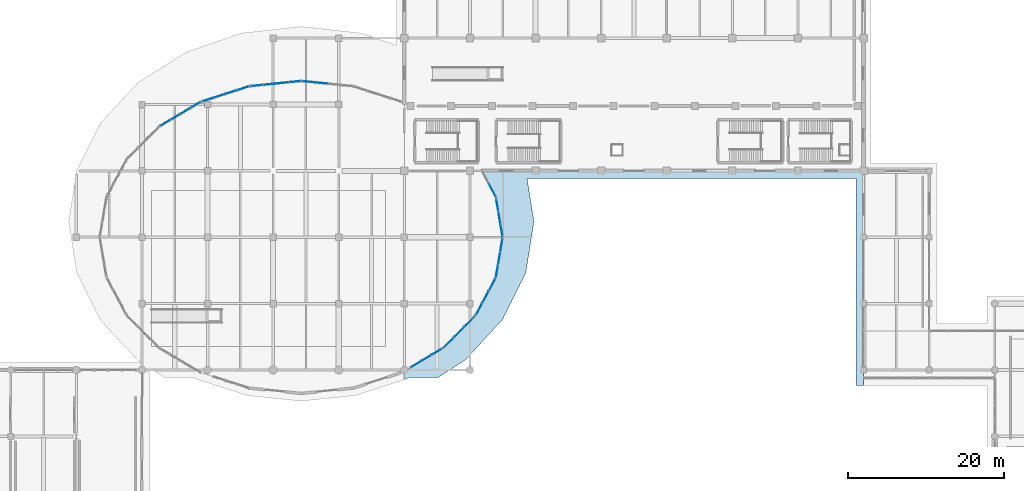
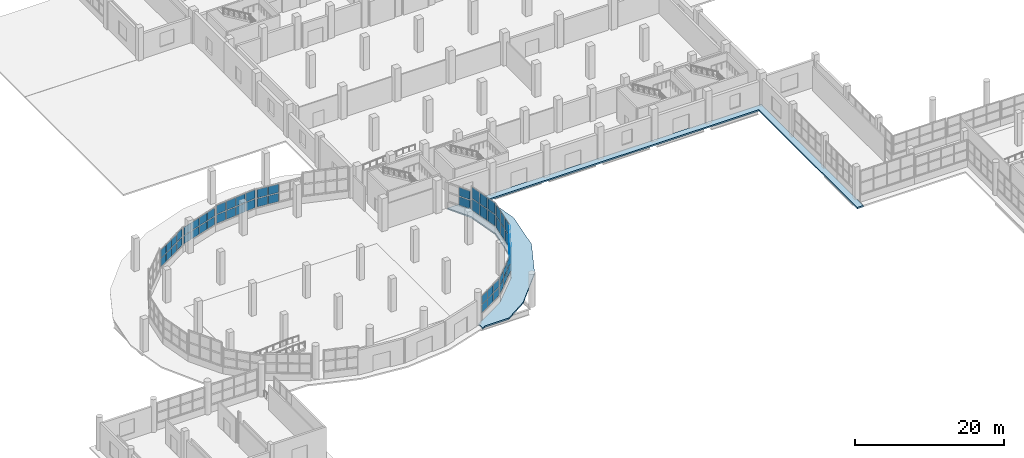
# One storey, part 75 of 107: 60 plates, 1 slab, 10 elements without a shape of their own.
"""IFC4 building model written with IfcOpenShell, lengths in metres."""

import ifcopenshell
import ifcopenshell.guid

model = None  # the IFC model being written
_history = None  # IfcOwnerHistory: only IFC2X3 demands one
_inside = {}  # id of a spatial element -> (the spatial element, [elements in it])
_under = {}  # id of a project, library or spatial element -> (it, [spatial elements below it])
_declared = {}  # id of a project -> (the project, [libraries it declares])
_typed = {}  # id of a type object -> (the type object, [elements of that type])
_made_of = {}  # id of a material, layer set ... -> (it, [elements and type objects made of it])


def new_model(schema):
    """Start an empty IFC model of exactly this schema.

    Asked for "IFC4X3", IfcOpenShell would pick the latest addendum, in which some entities
    have other attributes; the version numbers below select the first issue.
    IFC2X3 requires an IfcOwnerHistory on every rooted entity: one is made here for all.
    """
    global model, _history
    if schema == "IFC4X3":
        model = ifcopenshell.file(schema_version=(4, 3, 0, 0))
    else:
        model = ifcopenshell.file(schema=schema)
    _inside.clear()
    _under.clear()
    _declared.clear()
    _typed.clear()
    _made_of.clear()
    _history = None
    if model.schema == "IFC2X3":
        org = make("IfcOrganization", Name="unknown")
        user = make(
            "IfcPersonAndOrganization",
            ThePerson=make("IfcPerson", FamilyName="unknown"),
            TheOrganization=org,
        )
        app = make(
            "IfcApplication",
            ApplicationDeveloper=org,
            Version="unknown",
            ApplicationFullName="unknown",
            ApplicationIdentifier="unknown",
        )
        _history = make(
            "IfcOwnerHistory",
            OwningUser=user,
            OwningApplication=app,
            ChangeAction="ADDED",
            CreationDate=0,
        )
    return model


def make(cls, **values):
    """One entity of the class cls with the attributes given. An attribute that is None is left unset."""
    return model.create_entity(
        cls, **{name: value for name, value in values.items() if value is not None}
    )


def rooted(cls, **values):
    """An entity with a GlobalId (a new one), such as an element, a storey or a relation."""
    return make(cls, GlobalId=ifcopenshell.guid.new(), OwnerHistory=_history, **values)


def si_unit(unit_type, name, prefix=None):
    """IfcSIUnit, for example si_unit("LENGTHUNIT", "METRE", prefix="MILLI")."""
    return make("IfcSIUnit", UnitType=unit_type, Prefix=prefix, Name=name)


def assignment(units):
    """IfcUnitAssignment: the units of a project."""
    return None if units is None else make("IfcUnitAssignment", Units=units)


def point(xyz):
    """IfcCartesianPoint."""
    return None if xyz is None else make("IfcCartesianPoint", Coordinates=xyz)


def direction(xyz):
    """IfcDirection."""
    return None if xyz is None else make("IfcDirection", DirectionRatios=xyz)


def frame(location, z_axis=None, x_axis=None):
    """IfcAxis2Placement3D, a coordinate frame: its origin and axes. An axis left out is left unset."""
    return make(
        "IfcAxis2Placement3D",
        Location=point(location),
        Axis=direction(z_axis),
        RefDirection=direction(x_axis),
    )


def frame_2d(location, x_axis=None):
    """IfcAxis2Placement2D, a coordinate frame in the plane: its origin and x axis."""
    return make(
        "IfcAxis2Placement2D", Location=point(location), RefDirection=direction(x_axis)
    )


def origin():
    """The frame at (0, 0, 0) with its axes left unset."""
    return frame((0.0, 0.0, 0.0))


def origin_2d():
    """The frame at (0, 0) in the plane with its x axis left unset."""
    return frame_2d((0.0, 0.0))


def place(relative_to, where):
    """IfcLocalPlacement: puts the frame where relative to a parent placement (None: the world)."""
    return make(
        "IfcLocalPlacement", PlacementRelTo=relative_to, RelativePlacement=where
    )


def context(
    kind, dimensions, precision=None, world=None, true_north=None, identifier=None
):
    """IfcGeometricRepresentationContext, for example the 3D "Model" context."""
    return make(
        "IfcGeometricRepresentationContext",
        ContextIdentifier=identifier,
        ContextType=kind,
        CoordinateSpaceDimension=dimensions,
        Precision=precision,
        WorldCoordinateSystem=world,
        TrueNorth=true_north,
    )


def subcontext(parent, identifier, kind, view, scale=None):
    """IfcGeometricRepresentationSubContext, for example "Body" below "Model"."""
    return make(
        "IfcGeometricRepresentationSubContext",
        ContextIdentifier=identifier,
        ContextType=kind,
        ParentContext=parent,
        TargetScale=scale,
        TargetView=view,
    )


def project(units=None, contexts=None):
    """IfcProject with its units and contexts."""
    return rooted(
        "IfcProject",
        Name="project",
        RepresentationContexts=contexts,
        UnitsInContext=assignment(units),
    )


def spatial(cls, under=None, at=None, **own):
    """A site, building, storey or space (cls), placed at a placement, below another one or the project."""
    s = rooted(cls, ObjectPlacement=at, **own)
    if under is not None:
        _under.setdefault(under.id(), (under, []))[1].append(s)
    return s


def polyline(points):
    """IfcPolyline through the points."""
    return make("IfcPolyline", Points=[point(p) for p in points])


def profile(cls, at=None, kind="AREA", **sizes):
    """A parametric profile (cls). Its sizes go by their IFC names, for example OverallWidth=200.0."""
    return make(cls, ProfileType=kind, Position=at, **sizes)


def rectangle(**sizes):
    """IfcRectangleProfileDef."""
    return profile("IfcRectangleProfileDef", **sizes)


def outline(outer, holes=None, kind="AREA"):
    """IfcArbitraryClosedProfileDef: a profile drawn as a closed curve; with holes, ...WithVoids."""
    if holes is None:
        return make("IfcArbitraryClosedProfileDef", ProfileType=kind, OuterCurve=outer)
    return make(
        "IfcArbitraryProfileDefWithVoids",
        ProfileType=kind,
        OuterCurve=outer,
        InnerCurves=holes,
    )


def extrude(swept, where, along, depth):
    """IfcExtrudedAreaSolid: the profile swept, set in the frame where, extruded along a direction by depth."""
    return make(
        "IfcExtrudedAreaSolid",
        SweptArea=swept,
        Position=where,
        ExtrudedDirection=direction(along),
        Depth=depth,
    )


def shape(context_of_items, identifier, shape_type, items):
    """IfcShapeRepresentation: the items that make up one representation, for example the "Body"."""
    return make(
        "IfcShapeRepresentation",
        ContextOfItems=context_of_items,
        RepresentationIdentifier=identifier,
        RepresentationType=shape_type,
        Items=items,
    )


def material(Name=None, Category=None):
    """IfcMaterial."""
    return make("IfcMaterial", Name=Name, Category=Category)


def layer(
    of_material, thickness, ventilated=None, Name=None, Category=None, Priority=None
):
    """IfcMaterialLayer: one layer of a wall or slab, of a material (None: an air gap)."""
    return make(
        "IfcMaterialLayer",
        Material=of_material,
        LayerThickness=thickness,
        IsVentilated=ventilated,
        Name=Name,
        Category=Category,
        Priority=Priority,
    )


def layer_set(layers, Name=None):
    """IfcMaterialLayerSet."""
    return make("IfcMaterialLayerSet", MaterialLayers=layers, LayerSetName=Name)


def made_of(thing, what):
    """Note that an element or type object is made of a material, layer set ...; save() writes the relation."""
    if what is not None:
        _made_of.setdefault(what.id(), (what, []))[1].append(thing)
    return thing


def type_object(cls, material=None, **own):
    """A type object (cls), such as IfcWallType, which elements share."""
    return made_of(rooted(cls, **own), material)


def element(
    cls,
    number,
    at=None,
    inside=None,
    cuts=None,
    type_object=None,
    material=None,
    context=None,
    identifier="Body",
    shape_type=None,
    held_by="IfcProductDefinitionShape",
    body=None,
    shapes=None,
    **own,
):
    """One element of the class cls, such as IfcWall. Its Tag is "e" and its number.

    at: its placement. inside: the storey or other place that contains it. cuts: it is an
    opening in that element (IfcRelVoidsElement). A single representation is given by context,
    identifier, shape_type and body (its items); several are given by shapes. held_by: the class
    of the entity that holds the representations. save() writes the other relations.
    """
    e = rooted(cls, Tag="e%d" % number, ObjectPlacement=at, **own)
    if body is not None:
        shapes = [shape(context, identifier, shape_type, body)]
    if shapes is not None:
        e.Representation = make(held_by, Representations=shapes)
    if inside is not None:
        _inside.setdefault(inside.id(), (inside, []))[1].append(e)
    if cuts is not None:
        rooted(
            "IfcRelVoidsElement", RelatingBuildingElement=cuts, RelatedOpeningElement=e
        )
    if type_object is not None:
        _typed.setdefault(type_object.id(), (type_object, []))[1].append(e)
    return made_of(e, material)


def aggregate(whole, parts):
    """IfcRelAggregates: a whole, such as a stair, and the parts it consists of."""
    return rooted("IfcRelAggregates", RelatingObject=whole, RelatedObjects=parts)


def save(model, path):
    """Write the relations noted so far, then the file.

    IfcRelAggregates (storeys below a building ...), IfcRelContainedInSpatialStructure (elements
    in a storey), IfcRelDefinesByType, IfcRelAssociatesMaterial and IfcRelDeclares: one each for
    every whole, place, type object, material and project.
    """
    for whole, parts in _under.values():
        aggregate(whole, parts)
    for where, things in _inside.values():
        rooted(
            "IfcRelContainedInSpatialStructure",
            RelatedElements=things,
            RelatingStructure=where,
        )
    for kind, things in _typed.values():
        rooted("IfcRelDefinesByType", RelatedObjects=things, RelatingType=kind)
    for what, things in _made_of.values():
        rooted("IfcRelAssociatesMaterial", RelatedObjects=things, RelatingMaterial=what)
    for by, libraries in _declared.values():
        rooted("IfcRelDeclares", RelatingContext=by, RelatedDefinitions=libraries)
    model.write(path)


model = new_model("IFC4")

# Units and contexts
model_context = context("Model", 3, precision=1e-05, world=origin(), true_north=direction((0.0, 1.0)))
body_context = subcontext(model_context, "Body", "Model", "MODEL_VIEW")
ifc_project = project(units=[si_unit("LENGTHUNIT", "METRE"), si_unit("AREAUNIT", "SQUARE_METRE"), si_unit("VOLUMEUNIT", "CUBIC_METRE"), si_unit("PLANEANGLEUNIT", "RADIAN"), si_unit("MASSUNIT", "GRAM", prefix="KILO")], contexts=[model_context])

# Site, building, storey
site_placement = place(None, origin())
site = spatial("IfcSite", under=ifc_project, at=site_placement, CompositionType="ELEMENT")
building_placement = place(site_placement, origin())
building = spatial("IfcBuilding", under=site, at=building_placement, Name="Solvento Point Concert Hall", CompositionType="ELEMENT")
storey_placement = place(building_placement, origin())
storey = spatial("IfcBuildingStorey", under=building, at=storey_placement, Name="L00", CompositionType="ELEMENT", Elevation=0.0)

# Curtain wall, plates
ifc_material_1 = material(Name="Anodized Bronze Aluminium", Category="aluminium")
curtain_wall_type = type_object("IfcCurtainWallType", Name="CurtainWall_FoyerL00", PredefinedType="USERDEFINED", material=ifc_material_1)
curtain_wall_1_placement = place(storey_placement, origin())
curtain_wall_1 = element("IfcCurtainWall", 1, at=curtain_wall_1_placement, inside=storey, type_object=curtain_wall_type, Name="Unitised curtain wall CW-29 UCW-L00-009", ObjectType="UNITISED CURTAIN WALL", PredefinedType="USERDEFINED")
ifc_material_2 = material(Name="Hurricane Laminated Low-E Glass", Category="glass")
plate_type = type_object("IfcPlateType", Name="CurtainPanel_FoyerL00", PredefinedType="CURTAIN_PANEL", material=ifc_material_2)
plate_1_placement = place(storey_placement, frame((43.78662109375, 48.635986328125, 1.23974609375), z_axis=(0.0, 0.0, 1.0), x_axis=(0.859448350225, 0.511222586841, 0.0)))
plate_1 = element("IfcPlate", 2, at=plate_1_placement, type_object=plate_type, Name="Glazed curtain panel GL-01", PredefinedType="CURTAIN_PANEL", context=body_context, shape_type="SweptSolid", body=[
    extrude(rectangle(XDim=1.371826171875, YDim=0.052001953125, at=origin_2d()), origin(), (0.0, 0.0, 1.0), 1.299072265625),
])
plate_2_placement = place(storey_placement, frame((43.78662109375, 48.635986328125, 2.6591796875), z_axis=(0.0, 0.0, 1.0), x_axis=(0.859448350225, 0.511222586841, 0.0)))
plate_2 = element("IfcPlate", 3, at=plate_2_placement, type_object=plate_type, Name="Glazed curtain panel GL-01", PredefinedType="CURTAIN_PANEL", context=body_context, shape_type="SweptSolid", body=[
    extrude(rectangle(XDim=1.371826171875, YDim=0.052001953125, at=origin_2d()), origin(), (0.0, 0.0, 1.0), 1.299072265625),
])
plate_3_placement = place(storey_placement, frame((45.06884765625, 49.3984375, 1.23974609375), z_axis=(0.0, 0.0, 1.0), x_axis=(0.859448350225, 0.511222586841, 0.0)))
plate_3 = element("IfcPlate", 4, at=plate_3_placement, type_object=plate_type, Name="Glazed curtain panel GL-01", PredefinedType="CURTAIN_PANEL", context=body_context, shape_type="SweptSolid", body=[
    extrude(rectangle(XDim=1.371826171875, YDim=0.052001953125, at=origin_2d()), origin(), (0.0, 0.0, 1.0), 1.299072265625),
])
plate_4_placement = place(storey_placement, frame((45.06884765625, 49.3984375, 2.6591796875), z_axis=(0.0, 0.0, 1.0), x_axis=(0.859448350225, 0.511222586841, 0.0)))
plate_4 = element("IfcPlate", 5, at=plate_4_placement, type_object=plate_type, Name="Glazed curtain panel GL-01", PredefinedType="CURTAIN_PANEL", context=body_context, shape_type="SweptSolid", body=[
    extrude(rectangle(XDim=1.371826171875, YDim=0.052001953125, at=origin_2d()), origin(), (0.0, 0.0, 1.0), 1.299072265625),
])
plate_5_placement = place(storey_placement, frame((46.35107421875, 50.1611328125, 1.23974609375), z_axis=(0.0, 0.0, 1.0), x_axis=(0.859448350225, 0.511222586841, 0.0)))
plate_5 = element("IfcPlate", 6, at=plate_5_placement, type_object=plate_type, Name="Glazed curtain panel GL-01", PredefinedType="CURTAIN_PANEL", context=body_context, shape_type="SweptSolid", body=[
    extrude(rectangle(XDim=1.371826171875, YDim=0.052001953125, at=origin_2d()), origin(), (0.0, 0.0, 1.0), 1.299072265625),
])
plate_6_placement = place(storey_placement, frame((46.35107421875, 50.1611328125, 2.6591796875), z_axis=(0.0, 0.0, 1.0), x_axis=(0.859448350225, 0.511222586841, 0.0)))
plate_6 = element("IfcPlate", 7, at=plate_6_placement, type_object=plate_type, Name="Glazed curtain panel GL-01", PredefinedType="CURTAIN_PANEL", context=body_context, shape_type="SweptSolid", body=[
    extrude(rectangle(XDim=1.371826171875, YDim=0.052001953125, at=origin_2d()), origin(), (0.0, 0.0, 1.0), 1.299072265625),
])
plate_7_placement = place(storey_placement, frame((47.633056640625, 50.923828125, 1.23974609375), z_axis=(0.0, 0.0, 1.0), x_axis=(0.859448350225, 0.511222586841, 0.0)))
plate_7 = element("IfcPlate", 8, at=plate_7_placement, type_object=plate_type, Name="Glazed curtain panel GL-01", PredefinedType="CURTAIN_PANEL", context=body_context, shape_type="SweptSolid", body=[
    extrude(rectangle(XDim=1.371826171875, YDim=0.052001953125, at=origin_2d()), origin(), (0.0, 0.0, 1.0), 1.299072265625),
])
plate_8_placement = place(storey_placement, frame((47.633056640625, 50.923828125, 2.6591796875), z_axis=(0.0, 0.0, 1.0), x_axis=(0.859448350225, 0.511222586841, 0.0)))
plate_8 = element("IfcPlate", 9, at=plate_8_placement, type_object=plate_type, Name="Glazed curtain panel GL-01", PredefinedType="CURTAIN_PANEL", context=body_context, shape_type="SweptSolid", body=[
    extrude(rectangle(XDim=1.371826171875, YDim=0.052001953125, at=origin_2d()), origin(), (0.0, 0.0, 1.0), 1.299072265625),
])
aggregate(curtain_wall_1, [plate_1, plate_2, plate_3, plate_4, plate_5, plate_6, plate_7, plate_8])

curtain_wall_2_placement = place(storey_placement, origin())
curtain_wall_2 = element("IfcCurtainWall", 10, at=curtain_wall_2_placement, inside=storey, type_object=curtain_wall_type, Name="Unitised curtain wall CW-29 UCW-L00-010", ObjectType="UNITISED CURTAIN WALL", PredefinedType="USERDEFINED")
plate_9_placement = place(storey_placement, frame((49.257568359375, 51.6279296875, 1.23974609375), z_axis=(0.0, 0.0, 1.0), x_axis=(0.952121389331, 0.305720231548, 0.0)))
plate_9 = element("IfcPlate", 11, at=plate_9_placement, type_object=plate_type, Name="Glazed curtain panel GL-01", PredefinedType="CURTAIN_PANEL", context=body_context, shape_type="SweptSolid", body=[
    extrude(rectangle(XDim=1.451416015625, YDim=0.052001953125, at=origin_2d()), origin(), (0.0, 0.0, 1.0), 1.299072265625),
])
plate_10_placement = place(storey_placement, frame((49.257568359375, 51.6279296875, 2.6591796875), z_axis=(0.0, 0.0, 1.0), x_axis=(0.952121389331, 0.305720231548, 0.0)))
plate_10 = element("IfcPlate", 12, at=plate_10_placement, type_object=plate_type, Name="Glazed curtain panel GL-01", PredefinedType="CURTAIN_PANEL", context=body_context, shape_type="SweptSolid", body=[
    extrude(rectangle(XDim=1.451416015625, YDim=0.052001953125, at=origin_2d()), origin(), (0.0, 0.0, 1.0), 1.299072265625),
])
plate_11_placement = place(storey_placement, frame((50.753662109375, 52.1083984375, 1.23974609375), z_axis=(0.0, 0.0, 1.0), x_axis=(0.952121389331, 0.305720231548, 0.0)))
plate_11 = element("IfcPlate", 13, at=plate_11_placement, type_object=plate_type, Name="Glazed curtain panel GL-01", PredefinedType="CURTAIN_PANEL", context=body_context, shape_type="SweptSolid", body=[
    extrude(rectangle(XDim=1.451416015625, YDim=0.052001953125, at=origin_2d()), origin(), (0.0, 0.0, 1.0), 1.299072265625),
])
plate_12_placement = place(storey_placement, frame((50.753662109375, 52.1083984375, 2.6591796875), z_axis=(0.0, 0.0, 1.0), x_axis=(0.952121389331, 0.305720231548, 0.0)))
plate_12 = element("IfcPlate", 14, at=plate_12_placement, type_object=plate_type, Name="Glazed curtain panel GL-01", PredefinedType="CURTAIN_PANEL", context=body_context, shape_type="SweptSolid", body=[
    extrude(rectangle(XDim=1.451416015625, YDim=0.052001953125, at=origin_2d()), origin(), (0.0, 0.0, 1.0), 1.299072265625),
])
plate_13_placement = place(storey_placement, frame((52.249755859375, 52.588623046875, 1.23974609375), z_axis=(0.0, 0.0, 1.0), x_axis=(0.952121389331, 0.305720231548, 0.0)))
plate_13 = element("IfcPlate", 15, at=plate_13_placement, type_object=plate_type, Name="Glazed curtain panel GL-01", PredefinedType="CURTAIN_PANEL", context=body_context, shape_type="SweptSolid", body=[
    extrude(rectangle(XDim=1.451416015625, YDim=0.052001953125, at=origin_2d()), origin(), (0.0, 0.0, 1.0), 1.299072265625),
])
plate_14_placement = place(storey_placement, frame((52.249755859375, 52.588623046875, 2.6591796875), z_axis=(0.0, 0.0, 1.0), x_axis=(0.952121389331, 0.305720231548, 0.0)))
plate_14 = element("IfcPlate", 16, at=plate_14_placement, type_object=plate_type, Name="Glazed curtain panel GL-01", PredefinedType="CURTAIN_PANEL", context=body_context, shape_type="SweptSolid", body=[
    extrude(rectangle(XDim=1.451416015625, YDim=0.052001953125, at=origin_2d()), origin(), (0.0, 0.0, 1.0), 1.299072265625),
])
plate_15_placement = place(storey_placement, frame((53.745849609375, 53.069091796875, 1.23974609375), z_axis=(0.0, 0.0, 1.0), x_axis=(0.952121389331, 0.305720231548, 0.0)))
plate_15 = element("IfcPlate", 17, at=plate_15_placement, type_object=plate_type, Name="Glazed curtain panel GL-01", PredefinedType="CURTAIN_PANEL", context=body_context, shape_type="SweptSolid", body=[
    extrude(rectangle(XDim=1.451416015625, YDim=0.052001953125, at=origin_2d()), origin(), (0.0, 0.0, 1.0), 1.299072265625),
])
plate_16_placement = place(storey_placement, frame((53.745849609375, 53.069091796875, 2.6591796875), z_axis=(0.0, 0.0, 1.0), x_axis=(0.952121389331, 0.305720231548, 0.0)))
plate_16 = element("IfcPlate", 18, at=plate_16_placement, type_object=plate_type, Name="Glazed curtain panel GL-01", PredefinedType="CURTAIN_PANEL", context=body_context, shape_type="SweptSolid", body=[
    extrude(rectangle(XDim=1.451416015625, YDim=0.052001953125, at=origin_2d()), origin(), (0.0, 0.0, 1.0), 1.299072265625),
])
aggregate(curtain_wall_2, [plate_9, plate_10, plate_11, plate_12, plate_13, plate_14, plate_15, plate_16])

curtain_wall_3_placement = place(storey_placement, origin())
curtain_wall_3 = element("IfcCurtainWall", 19, at=curtain_wall_3_placement, inside=storey, type_object=curtain_wall_type, Name="Unitised curtain wall CW-29 UCW-L00-011", ObjectType="UNITISED CURTAIN WALL", PredefinedType="USERDEFINED")
plate_17_placement = place(storey_placement, frame((55.544921875, 53.4228515625, 1.240234375), z_axis=(0.0, 0.0, 1.0), x_axis=(0.994832267905, 0.101532057676, 0.0)))
plate_17 = element("IfcPlate", 20, at=plate_17_placement, type_object=plate_type, Name="Glazed curtain panel GL-01", PredefinedType="CURTAIN_PANEL", context=body_context, shape_type="SweptSolid", body=[
    extrude(rectangle(XDim=1.49560546875, YDim=0.052001953125, at=origin_2d()), origin(), (0.0, 0.0, 1.0), 1.427001953125),
])
plate_18_placement = place(storey_placement, frame((55.544921875, 53.4228515625, 2.787109375), z_axis=(0.0, 0.0, 1.0), x_axis=(0.994832267905, 0.101532057676, 0.0)))
plate_18 = element("IfcPlate", 21, at=plate_18_placement, type_object=plate_type, Name="Glazed curtain panel GL-01", PredefinedType="CURTAIN_PANEL", context=body_context, shape_type="SweptSolid", body=[
    extrude(rectangle(XDim=1.49560546875, YDim=0.052001953125, at=origin_2d()), origin(), (0.0, 0.0, 1.0), 1.427001953125),
])
plate_19_placement = place(storey_placement, frame((57.152099609375, 53.5869140625, 1.240234375), z_axis=(0.0, 0.0, 1.0), x_axis=(0.994832267905, 0.101532057676, 0.0)))
plate_19 = element("IfcPlate", 22, at=plate_19_placement, type_object=plate_type, Name="Glazed curtain panel GL-01", PredefinedType="CURTAIN_PANEL", context=body_context, shape_type="SweptSolid", body=[
    extrude(rectangle(XDim=1.49560546875, YDim=0.052001953125, at=origin_2d()), origin(), (0.0, 0.0, 1.0), 1.427001953125),
])
plate_20_placement = place(storey_placement, frame((57.152099609375, 53.5869140625, 2.787109375), z_axis=(0.0, 0.0, 1.0), x_axis=(0.994832267905, 0.101532057676, 0.0)))
plate_20 = element("IfcPlate", 23, at=plate_20_placement, type_object=plate_type, Name="Glazed curtain panel GL-01", PredefinedType="CURTAIN_PANEL", context=body_context, shape_type="SweptSolid", body=[
    extrude(rectangle(XDim=1.49560546875, YDim=0.052001953125, at=origin_2d()), origin(), (0.0, 0.0, 1.0), 1.427001953125),
])
plate_21_placement = place(storey_placement, frame((58.759521484375, 53.7509765625, 1.240234375), z_axis=(0.0, 0.0, 1.0), x_axis=(0.994832267905, 0.101532057676, 0.0)))
plate_21 = element("IfcPlate", 24, at=plate_21_placement, type_object=plate_type, Name="Glazed curtain panel GL-01", PredefinedType="CURTAIN_PANEL", context=body_context, shape_type="SweptSolid", body=[
    extrude(rectangle(XDim=1.49560546875, YDim=0.052001953125, at=origin_2d()), origin(), (0.0, 0.0, 1.0), 1.427001953125),
])
plate_22_placement = place(storey_placement, frame((58.759521484375, 53.7509765625, 2.787109375), z_axis=(0.0, 0.0, 1.0), x_axis=(0.994832267905, 0.101532057676, 0.0)))
plate_22 = element("IfcPlate", 25, at=plate_22_placement, type_object=plate_type, Name="Glazed curtain panel GL-01", PredefinedType="CURTAIN_PANEL", context=body_context, shape_type="SweptSolid", body=[
    extrude(rectangle(XDim=1.49560546875, YDim=0.052001953125, at=origin_2d()), origin(), (0.0, 0.0, 1.0), 1.427001953125),
])
plate_23_placement = place(storey_placement, frame((60.36669921875, 53.914794921875, 1.240234375), z_axis=(0.0, 0.0, 1.0), x_axis=(0.994832267905, 0.101532057676, 0.0)))
plate_23 = element("IfcPlate", 26, at=plate_23_placement, type_object=plate_type, Name="Glazed curtain panel GL-01", PredefinedType="CURTAIN_PANEL", context=body_context, shape_type="SweptSolid", body=[
    extrude(rectangle(XDim=1.49560546875, YDim=0.052001953125, at=origin_2d()), origin(), (0.0, 0.0, 1.0), 1.427001953125),
])
plate_24_placement = place(storey_placement, frame((60.36669921875, 53.914794921875, 2.787109375), z_axis=(0.0, 0.0, 1.0), x_axis=(0.994832267905, 0.101532057676, 0.0)))
plate_24 = element("IfcPlate", 27, at=plate_24_placement, type_object=plate_type, Name="Glazed curtain panel GL-01", PredefinedType="CURTAIN_PANEL", context=body_context, shape_type="SweptSolid", body=[
    extrude(rectangle(XDim=1.49560546875, YDim=0.052001953125, at=origin_2d()), origin(), (0.0, 0.0, 1.0), 1.427001953125),
])
aggregate(curtain_wall_3, [plate_17, plate_18, plate_19, plate_20, plate_21, plate_22, plate_23, plate_24])

curtain_wall_4_placement = place(storey_placement, origin())
curtain_wall_4 = element("IfcCurtainWall", 28, at=curtain_wall_4_placement, inside=storey, type_object=curtain_wall_type, Name="Unitised curtain wall CW-29 UCW-L00-012", ObjectType="UNITISED CURTAIN WALL", PredefinedType="USERDEFINED")
plate_25_placement = place(storey_placement, frame((62.222412109375, 53.8955078125, 1.240234375), z_axis=(0.0, 0.0, 1.0), x_axis=(0.994832267905, -0.101532057676, 0.0)))
plate_25 = element("IfcPlate", 29, at=plate_25_placement, type_object=plate_type, Name="Glazed curtain panel GL-01", PredefinedType="CURTAIN_PANEL", context=body_context, shape_type="SweptSolid", body=[
    extrude(rectangle(XDim=1.49560546875, YDim=0.052001953125, at=origin_2d()), origin(), (0.0, 0.0, 1.0), 1.382568359375),
])
plate_26_placement = place(storey_placement, frame((62.222412109375, 53.8955078125, 2.7421875), z_axis=(0.0, 0.0, 1.0), x_axis=(0.994832267905, -0.101532057676, 0.0)))
plate_26 = element("IfcPlate", 30, at=plate_26_placement, type_object=plate_type, Name="Glazed curtain panel GL-01", PredefinedType="CURTAIN_PANEL", context=body_context, shape_type="SweptSolid", body=[
    extrude(rectangle(XDim=1.49560546875, YDim=0.052001953125, at=origin_2d()), origin(), (0.0, 0.0, 1.0), 1.382568359375),
])
plate_27_placement = place(storey_placement, frame((63.82958984375, 53.731689453125, 1.240234375), z_axis=(0.0, 0.0, 1.0), x_axis=(0.994832267905, -0.101532057676, 0.0)))
plate_27 = element("IfcPlate", 31, at=plate_27_placement, type_object=plate_type, Name="Glazed curtain panel GL-01", PredefinedType="CURTAIN_PANEL", context=body_context, shape_type="SweptSolid", body=[
    extrude(rectangle(XDim=1.49560546875, YDim=0.052001953125, at=origin_2d()), origin(), (0.0, 0.0, 1.0), 1.382568359375),
])
plate_28_placement = place(storey_placement, frame((63.82958984375, 53.731689453125, 2.7421875), z_axis=(0.0, 0.0, 1.0), x_axis=(0.994832267905, -0.101532057676, 0.0)))
plate_28 = element("IfcPlate", 32, at=plate_28_placement, type_object=plate_type, Name="Glazed curtain panel GL-01", PredefinedType="CURTAIN_PANEL", context=body_context, shape_type="SweptSolid", body=[
    extrude(rectangle(XDim=1.49560546875, YDim=0.052001953125, at=origin_2d()), origin(), (0.0, 0.0, 1.0), 1.382568359375),
])
aggregate(curtain_wall_4, [plate_25, plate_26, plate_27, plate_28])

curtain_wall_5_placement = place(storey_placement, origin())
curtain_wall_5 = element("IfcCurtainWall", 33, at=curtain_wall_5_placement, inside=storey, type_object=curtain_wall_type, Name="Unitised curtain wall CW-29 UCW-L00-014", ObjectType="UNITISED CURTAIN WALL", PredefinedType="USERDEFINED")
plate_29_placement = place(storey_placement, frame((85.669921875, 40.0205078125, 1.239990234375), z_axis=(0.0, 0.0, 1.0), x_axis=(0.471272053434, -0.881987897679, 0.0)))
plate_29 = element("IfcPlate", 34, at=plate_29_placement, type_object=plate_type, Name="Glazed curtain panel GL-01", PredefinedType="CURTAIN_PANEL", context=body_context, shape_type="SweptSolid", body=[
    extrude(rectangle(XDim=1.734130859375, YDim=0.052001953125, at=origin_2d()), origin(), (0.0, 0.0, 1.0), 1.3955078125),
])
plate_30_placement = place(storey_placement, frame((85.669921875, 40.0205078125, 2.75537109375), z_axis=(0.0, 0.0, 1.0), x_axis=(0.471272053434, -0.881987897679, 0.0)))
plate_30 = element("IfcPlate", 35, at=plate_30_placement, type_object=plate_type, Name="Glazed curtain panel GL-01", PredefinedType="CURTAIN_PANEL", context=body_context, shape_type="SweptSolid", body=[
    extrude(rectangle(XDim=1.734130859375, YDim=0.052001953125, at=origin_2d()), origin(), (0.0, 0.0, 1.0), 1.3955078125),
])
aggregate(curtain_wall_5, [plate_29, plate_30])

curtain_wall_6_placement = place(storey_placement, origin())
curtain_wall_6 = element("IfcCurtainWall", 36, at=curtain_wall_6_placement, inside=storey, type_object=curtain_wall_type, Name="Unitised curtain wall CW-29 UCW-L00-015", ObjectType="UNITISED CURTAIN WALL", PredefinedType="USERDEFINED")
plate_31_placement = place(storey_placement, frame((86.29736328125, 38.137939453125, 1.23974609375), z_axis=(0.0, 0.0, 1.0), x_axis=(0.167431250791, -0.985883753928, 0.0)))
plate_31 = element("IfcPlate", 37, at=plate_31_placement, type_object=plate_type, Name="Glazed curtain panel GL-01", PredefinedType="CURTAIN_PANEL", context=body_context, shape_type="SweptSolid", body=[
    extrude(rectangle(XDim=1.546875, YDim=0.052001953125, at=origin_2d()), origin(), (0.0, 0.0, 1.0), 1.820068359375),
])
plate_32_placement = place(storey_placement, frame((86.29736328125, 38.137939453125, 3.18017578125), z_axis=(0.0, 0.0, 1.0), x_axis=(0.167431250791, -0.985883753928, 0.0)))
plate_32 = element("IfcPlate", 38, at=plate_32_placement, type_object=plate_type, Name="Glazed curtain panel GL-01", PredefinedType="CURTAIN_PANEL", context=body_context, shape_type="SweptSolid", body=[
    extrude(rectangle(XDim=1.546875, YDim=0.052001953125, at=origin_2d()), origin(), (0.0, 0.0, 1.0), 1.820068359375),
])
plate_33_placement = place(storey_placement, frame((86.576416015625, 36.494384765625, 1.23974609375), z_axis=(0.0, 0.0, 1.0), x_axis=(0.167431250791, -0.985883753928, 0.0)))
plate_33 = element("IfcPlate", 39, at=plate_33_placement, type_object=plate_type, Name="Glazed curtain panel GL-01", PredefinedType="CURTAIN_PANEL", context=body_context, shape_type="SweptSolid", body=[
    extrude(rectangle(XDim=1.546875, YDim=0.052001953125, at=origin_2d()), origin(), (0.0, 0.0, 1.0), 1.820068359375),
])
plate_34_placement = place(storey_placement, frame((86.576416015625, 36.494384765625, 3.18017578125), z_axis=(0.0, 0.0, 1.0), x_axis=(0.167431250791, -0.985883753928, 0.0)))
plate_34 = element("IfcPlate", 40, at=plate_34_placement, type_object=plate_type, Name="Glazed curtain panel GL-01", PredefinedType="CURTAIN_PANEL", context=body_context, shape_type="SweptSolid", body=[
    extrude(rectangle(XDim=1.546875, YDim=0.052001953125, at=origin_2d()), origin(), (0.0, 0.0, 1.0), 1.820068359375),
])
plate_35_placement = place(storey_placement, frame((86.85546875, 34.851318359375, 1.23974609375), z_axis=(0.0, 0.0, 1.0), x_axis=(0.167431250791, -0.985883753928, 0.0)))
plate_35 = element("IfcPlate", 41, at=plate_35_placement, type_object=plate_type, Name="Glazed curtain panel GL-01", PredefinedType="CURTAIN_PANEL", context=body_context, shape_type="SweptSolid", body=[
    extrude(rectangle(XDim=1.546875, YDim=0.052001953125, at=origin_2d()), origin(), (0.0, 0.0, 1.0), 1.820068359375),
])
plate_36_placement = place(storey_placement, frame((86.85546875, 34.851318359375, 3.18017578125), z_axis=(0.0, 0.0, 1.0), x_axis=(0.167431250791, -0.985883753928, 0.0)))
plate_36 = element("IfcPlate", 42, at=plate_36_placement, type_object=plate_type, Name="Glazed curtain panel GL-01", PredefinedType="CURTAIN_PANEL", context=body_context, shape_type="SweptSolid", body=[
    extrude(rectangle(XDim=1.546875, YDim=0.052001953125, at=origin_2d()), origin(), (0.0, 0.0, 1.0), 1.820068359375),
])
aggregate(curtain_wall_6, [plate_31, plate_32, plate_33, plate_34, plate_35, plate_36])

curtain_wall_7_placement = place(storey_placement, origin())
curtain_wall_7 = element("IfcCurtainWall", 43, at=curtain_wall_7_placement, inside=storey, type_object=curtain_wall_type, Name="Unitised curtain wall CW-29 UCW-L00-016", ObjectType="UNITISED CURTAIN WALL", PredefinedType="USERDEFINED")
plate_37_placement = place(storey_placement, frame((86.823486328125, 32.96142578125, 1.23974609375), z_axis=(0.0, 0.0, 1.0), x_axis=(-0.167431250791, -0.985883753928, 0.0)))
plate_37 = element("IfcPlate", 44, at=plate_37_placement, type_object=plate_type, Name="Glazed curtain panel GL-01", PredefinedType="CURTAIN_PANEL", context=body_context, shape_type="SweptSolid", body=[
    extrude(rectangle(XDim=1.546875, YDim=0.052001953125, at=origin_2d()), origin(), (0.0, 0.0, 1.0), 1.820068359375),
])
plate_38_placement = place(storey_placement, frame((86.823486328125, 32.96142578125, 3.18017578125), z_axis=(0.0, 0.0, 1.0), x_axis=(-0.167431250791, -0.985883753928, 0.0)))
plate_38 = element("IfcPlate", 45, at=plate_38_placement, type_object=plate_type, Name="Glazed curtain panel GL-01", PredefinedType="CURTAIN_PANEL", context=body_context, shape_type="SweptSolid", body=[
    extrude(rectangle(XDim=1.546875, YDim=0.052001953125, at=origin_2d()), origin(), (0.0, 0.0, 1.0), 1.820068359375),
])
plate_39_placement = place(storey_placement, frame((86.54443359375, 31.318115234375, 1.23974609375), z_axis=(0.0, 0.0, 1.0), x_axis=(-0.167431250791, -0.985883753928, 0.0)))
plate_39 = element("IfcPlate", 46, at=plate_39_placement, type_object=plate_type, Name="Glazed curtain panel GL-01", PredefinedType="CURTAIN_PANEL", context=body_context, shape_type="SweptSolid", body=[
    extrude(rectangle(XDim=1.546875, YDim=0.052001953125, at=origin_2d()), origin(), (0.0, 0.0, 1.0), 1.820068359375),
])
plate_40_placement = place(storey_placement, frame((86.54443359375, 31.318115234375, 3.18017578125), z_axis=(0.0, 0.0, 1.0), x_axis=(-0.167431250791, -0.985883753928, 0.0)))
plate_40 = element("IfcPlate", 47, at=plate_40_placement, type_object=plate_type, Name="Glazed curtain panel GL-01", PredefinedType="CURTAIN_PANEL", context=body_context, shape_type="SweptSolid", body=[
    extrude(rectangle(XDim=1.546875, YDim=0.052001953125, at=origin_2d()), origin(), (0.0, 0.0, 1.0), 1.820068359375),
])
plate_41_placement = place(storey_placement, frame((86.265380859375, 29.6748046875, 1.23974609375), z_axis=(0.0, 0.0, 1.0), x_axis=(-0.167431250791, -0.985883753928, 0.0)))
plate_41 = element("IfcPlate", 48, at=plate_41_placement, type_object=plate_type, Name="Glazed curtain panel GL-01", PredefinedType="CURTAIN_PANEL", context=body_context, shape_type="SweptSolid", body=[
    extrude(rectangle(XDim=1.546875, YDim=0.052001953125, at=origin_2d()), origin(), (0.0, 0.0, 1.0), 1.820068359375),
])
plate_42_placement = place(storey_placement, frame((86.265380859375, 29.6748046875, 3.18017578125), z_axis=(0.0, 0.0, 1.0), x_axis=(-0.167431250791, -0.985883753928, 0.0)))
plate_42 = element("IfcPlate", 49, at=plate_42_placement, type_object=plate_type, Name="Glazed curtain panel GL-01", PredefinedType="CURTAIN_PANEL", context=body_context, shape_type="SweptSolid", body=[
    extrude(rectangle(XDim=1.546875, YDim=0.052001953125, at=origin_2d()), origin(), (0.0, 0.0, 1.0), 1.820068359375),
])
aggregate(curtain_wall_7, [plate_37, plate_38, plate_39, plate_40, plate_41, plate_42])

curtain_wall_8_placement = place(storey_placement, origin())
curtain_wall_8 = element("IfcCurtainWall", 50, at=curtain_wall_8_placement, inside=storey, type_object=curtain_wall_type, Name="Unitised curtain wall CW-29 UCW-L00-017", ObjectType="UNITISED CURTAIN WALL", PredefinedType="USERDEFINED")
plate_43_placement = place(storey_placement, frame((85.607421875, 27.8623046875, 1.23974609375), z_axis=(0.0, 0.0, 1.0), x_axis=(-0.471273592793, -0.881987075153, 0.0)))
plate_43 = element("IfcPlate", 51, at=plate_43_placement, type_object=plate_type, Name="Glazed curtain panel GL-01", PredefinedType="CURTAIN_PANEL", context=body_context, shape_type="SweptSolid", body=[
    extrude(rectangle(XDim=1.61962890625, YDim=0.052001953125, at=origin_2d()), origin(), (0.0, 0.0, 1.0), 1.820068359375),
])
plate_44_placement = place(storey_placement, frame((85.607421875, 27.8623046875, 3.18017578125), z_axis=(0.0, 0.0, 1.0), x_axis=(-0.471273592793, -0.881987075153, 0.0)))
plate_44 = element("IfcPlate", 52, at=plate_44_placement, type_object=plate_type, Name="Glazed curtain panel GL-01", PredefinedType="CURTAIN_PANEL", context=body_context, shape_type="SweptSolid", body=[
    extrude(rectangle(XDim=1.61962890625, YDim=0.052001953125, at=origin_2d()), origin(), (0.0, 0.0, 1.0), 1.820068359375),
])
plate_45_placement = place(storey_placement, frame((84.787353515625, 26.327880859375, 1.23974609375), z_axis=(0.0, 0.0, 1.0), x_axis=(-0.471273592793, -0.881987075153, 0.0)))
plate_45 = element("IfcPlate", 53, at=plate_45_placement, type_object=plate_type, Name="Glazed curtain panel GL-01", PredefinedType="CURTAIN_PANEL", context=body_context, shape_type="SweptSolid", body=[
    extrude(rectangle(XDim=1.61962890625, YDim=0.052001953125, at=origin_2d()), origin(), (0.0, 0.0, 1.0), 1.820068359375),
])
plate_46_placement = place(storey_placement, frame((84.787353515625, 26.327880859375, 3.18017578125), z_axis=(0.0, 0.0, 1.0), x_axis=(-0.471273592793, -0.881987075153, 0.0)))
plate_46 = element("IfcPlate", 54, at=plate_46_placement, type_object=plate_type, Name="Glazed curtain panel GL-01", PredefinedType="CURTAIN_PANEL", context=body_context, shape_type="SweptSolid", body=[
    extrude(rectangle(XDim=1.61962890625, YDim=0.052001953125, at=origin_2d()), origin(), (0.0, 0.0, 1.0), 1.820068359375),
])
plate_47_placement = place(storey_placement, frame((83.967529296875, 24.793701171875, 1.23974609375), z_axis=(0.0, 0.0, 1.0), x_axis=(-0.471273592793, -0.881987075153, 0.0)))
plate_47 = element("IfcPlate", 55, at=plate_47_placement, type_object=plate_type, Name="Glazed curtain panel GL-01", PredefinedType="CURTAIN_PANEL", context=body_context, shape_type="SweptSolid", body=[
    extrude(rectangle(XDim=1.61962890625, YDim=0.052001953125, at=origin_2d()), origin(), (0.0, 0.0, 1.0), 1.820068359375),
])
plate_48_placement = place(storey_placement, frame((83.967529296875, 24.793701171875, 3.18017578125), z_axis=(0.0, 0.0, 1.0), x_axis=(-0.471273592793, -0.881987075153, 0.0)))
plate_48 = element("IfcPlate", 56, at=plate_48_placement, type_object=plate_type, Name="Glazed curtain panel GL-01", PredefinedType="CURTAIN_PANEL", context=body_context, shape_type="SweptSolid", body=[
    extrude(rectangle(XDim=1.61962890625, YDim=0.052001953125, at=origin_2d()), origin(), (0.0, 0.0, 1.0), 1.820068359375),
])
aggregate(curtain_wall_8, [plate_43, plate_44, plate_45, plate_46, plate_47, plate_48])

curtain_wall_9_placement = place(storey_placement, origin())
curtain_wall_9 = element("IfcCurtainWall", 57, at=curtain_wall_9_placement, inside=storey, type_object=curtain_wall_type, Name="Unitised curtain wall CW-29 UCW-L00-018", ObjectType="UNITISED CURTAIN WALL", PredefinedType="USERDEFINED")
plate_49_placement = place(storey_placement, frame((82.734619140625, 23.182861328125, 1.239990234375), z_axis=(0.0, 0.0, 1.0), x_axis=(-0.703493942283, -0.710701254517, 0.0)))
plate_49 = element("IfcPlate", 58, at=plate_49_placement, type_object=plate_type, Name="Glazed curtain panel GL-01", PredefinedType="CURTAIN_PANEL", context=body_context, shape_type="SweptSolid", body=[
    extrude(rectangle(XDim=1.739501953125, YDim=0.052001953125, at=origin_2d()), origin(), (0.0, 0.0, 1.0), 1.291015625),
])
plate_50_placement = place(storey_placement, frame((82.734619140625, 23.182861328125, 2.65087890625), z_axis=(0.0, 0.0, 1.0), x_axis=(-0.703493942283, -0.710701254517, 0.0)))
plate_50 = element("IfcPlate", 59, at=plate_50_placement, type_object=plate_type, Name="Glazed curtain panel GL-01", PredefinedType="CURTAIN_PANEL", context=body_context, shape_type="SweptSolid", body=[
    extrude(rectangle(XDim=1.739501953125, YDim=0.052001953125, at=origin_2d()), origin(), (0.0, 0.0, 1.0), 1.291015625),
])
plate_51_placement = place(storey_placement, frame((81.426513671875, 21.861328125, 1.239990234375), z_axis=(0.0, 0.0, 1.0), x_axis=(-0.703493942283, -0.710701254517, 0.0)))
plate_51 = element("IfcPlate", 60, at=plate_51_placement, type_object=plate_type, Name="Glazed curtain panel GL-01", PredefinedType="CURTAIN_PANEL", context=body_context, shape_type="SweptSolid", body=[
    extrude(rectangle(XDim=1.739501953125, YDim=0.052001953125, at=origin_2d()), origin(), (0.0, 0.0, 1.0), 1.291015625),
])
plate_52_placement = place(storey_placement, frame((81.426513671875, 21.861328125, 2.65087890625), z_axis=(0.0, 0.0, 1.0), x_axis=(-0.703493942283, -0.710701254517, 0.0)))
plate_52 = element("IfcPlate", 61, at=plate_52_placement, type_object=plate_type, Name="Glazed curtain panel GL-01", PredefinedType="CURTAIN_PANEL", context=body_context, shape_type="SweptSolid", body=[
    extrude(rectangle(XDim=1.739501953125, YDim=0.052001953125, at=origin_2d()), origin(), (0.0, 0.0, 1.0), 1.291015625),
])
plate_53_placement = place(storey_placement, frame((80.118408203125, 20.5400390625, 1.239990234375), z_axis=(0.0, 0.0, 1.0), x_axis=(-0.703493942283, -0.710701254517, 0.0)))
plate_53 = element("IfcPlate", 62, at=plate_53_placement, type_object=plate_type, Name="Glazed curtain panel GL-01", PredefinedType="CURTAIN_PANEL", context=body_context, shape_type="SweptSolid", body=[
    extrude(rectangle(XDim=1.739501953125, YDim=0.052001953125, at=origin_2d()), origin(), (0.0, 0.0, 1.0), 1.291015625),
])
plate_54_placement = place(storey_placement, frame((80.118408203125, 20.5400390625, 2.65087890625), z_axis=(0.0, 0.0, 1.0), x_axis=(-0.703493942283, -0.710701254517, 0.0)))
plate_54 = element("IfcPlate", 63, at=plate_54_placement, type_object=plate_type, Name="Glazed curtain panel GL-01", PredefinedType="CURTAIN_PANEL", context=body_context, shape_type="SweptSolid", body=[
    extrude(rectangle(XDim=1.739501953125, YDim=0.052001953125, at=origin_2d()), origin(), (0.0, 0.0, 1.0), 1.291015625),
])
aggregate(curtain_wall_9, [plate_49, plate_50, plate_51, plate_52, plate_53, plate_54])

curtain_wall_10_placement = place(storey_placement, origin())
curtain_wall_10 = element("IfcCurtainWall", 64, at=curtain_wall_10_placement, inside=storey, type_object=curtain_wall_type, Name="Unitised curtain wall CW-29 UCW-L00-019", ObjectType="UNITISED CURTAIN WALL", PredefinedType="USERDEFINED")
plate_55_placement = place(storey_placement, frame((78.57373046875, 19.340576171875, 1.23974609375), z_axis=(0.0, 0.0, 1.0), x_axis=(-0.859448350225, -0.511222586841, 0.0)))
plate_55 = element("IfcPlate", 65, at=plate_55_placement, type_object=plate_type, Name="Glazed curtain panel GL-01", PredefinedType="CURTAIN_PANEL", context=body_context, shape_type="SweptSolid", body=[
    extrude(rectangle(XDim=1.4638671875, YDim=0.052001953125, at=origin_2d()), origin(), (0.0, 0.0, 1.0), 1.299072265625),
])
plate_56_placement = place(storey_placement, frame((78.57373046875, 19.340576171875, 2.6591796875), z_axis=(0.0, 0.0, 1.0), x_axis=(-0.859448350225, -0.511222586841, 0.0)))
plate_56 = element("IfcPlate", 66, at=plate_56_placement, type_object=plate_type, Name="Glazed curtain panel GL-01", PredefinedType="CURTAIN_PANEL", context=body_context, shape_type="SweptSolid", body=[
    extrude(rectangle(XDim=1.4638671875, YDim=0.052001953125, at=origin_2d()), origin(), (0.0, 0.0, 1.0), 1.299072265625),
])
plate_57_placement = place(storey_placement, frame((77.212646484375, 18.531005859375, 1.23974609375), z_axis=(0.0, 0.0, 1.0), x_axis=(-0.859448350225, -0.511222586841, 0.0)))
plate_57 = element("IfcPlate", 67, at=plate_57_placement, type_object=plate_type, Name="Glazed curtain panel GL-01", PredefinedType="CURTAIN_PANEL", context=body_context, shape_type="SweptSolid", body=[
    extrude(rectangle(XDim=1.4638671875, YDim=0.052001953125, at=origin_2d()), origin(), (0.0, 0.0, 1.0), 1.299072265625),
])
plate_58_placement = place(storey_placement, frame((77.212646484375, 18.531005859375, 2.6591796875), z_axis=(0.0, 0.0, 1.0), x_axis=(-0.859448350225, -0.511222586841, 0.0)))
plate_58 = element("IfcPlate", 68, at=plate_58_placement, type_object=plate_type, Name="Glazed curtain panel GL-01", PredefinedType="CURTAIN_PANEL", context=body_context, shape_type="SweptSolid", body=[
    extrude(rectangle(XDim=1.4638671875, YDim=0.052001953125, at=origin_2d()), origin(), (0.0, 0.0, 1.0), 1.299072265625),
])
plate_59_placement = place(storey_placement, frame((75.851318359375, 17.72119140625, 1.23974609375), z_axis=(0.0, 0.0, 1.0), x_axis=(-0.859448350225, -0.511222586841, 0.0)))
plate_59 = element("IfcPlate", 69, at=plate_59_placement, type_object=plate_type, Name="Glazed curtain panel GL-01", PredefinedType="CURTAIN_PANEL", context=body_context, shape_type="SweptSolid", body=[
    extrude(rectangle(XDim=1.4638671875, YDim=0.052001953125, at=origin_2d()), origin(), (0.0, 0.0, 1.0), 1.299072265625),
])
plate_60_placement = place(storey_placement, frame((75.851318359375, 17.72119140625, 2.6591796875), z_axis=(0.0, 0.0, 1.0), x_axis=(-0.859448350225, -0.511222586841, 0.0)))
plate_60 = element("IfcPlate", 70, at=plate_60_placement, type_object=plate_type, Name="Glazed curtain panel GL-01", PredefinedType="CURTAIN_PANEL", context=body_context, shape_type="SweptSolid", body=[
    extrude(rectangle(XDim=1.4638671875, YDim=0.052001953125, at=origin_2d()), origin(), (0.0, 0.0, 1.0), 1.299072265625),
])
aggregate(curtain_wall_10, [plate_55, plate_56, plate_57, plate_58, plate_59, plate_60])

# Slab
ifc_material_3 = material(Name="Concrete C40/50", Category="concrete")
ifc_layer = layer(ifc_material_3, 0.239990234375)
ifc_layer_set = layer_set([ifc_layer], Name="Concrete C40/50")
slab_type = type_object("IfcSlabType", Name="TerraceSlab_250", PredefinedType="FLOOR", material=ifc_layer_set)
slab_placement = place(storey_placement, frame((0.0, 0.0, -0.239990234375)))
element("IfcSlab", 71, at=slab_placement, inside=storey, type_object=slab_type, Name="Outdoor public terrace deck L00", PredefinedType="FLOOR", context=body_context, shape_type="SweptSolid", body=[
    extrude(outline(polyline([(133.175048828125, 42.47509765625), (133.179931640625, 15.02001953125), (132.219970703125, 15.02001953125), (132.219970703125, 41.52001953125), (90.1201171875, 41.52001953125), (90.9921875, 36.0), (89.963134765625, 29.48681640625), (86.95703125, 23.438720703125), (82.19970703125, 18.272216796875), (78.677490234375, 16.02001953125), (74.908203125, 16.02001953125), (74.419921875, 15.7529296875), (74.419921875, 16.8408203125), (79.458984375, 19.837890625), (83.563720703125, 23.985107421875), (86.14501953125, 28.8154296875), (87.025390625, 34.0), (86.14501953125, 39.1845703125), (84.38671875, 42.47509765625), (133.175048828125, 42.47509765625)])), origin(), (0.0, 0.0, 1.0), 0.239990234375),
])

save(model, "model.ifc")
